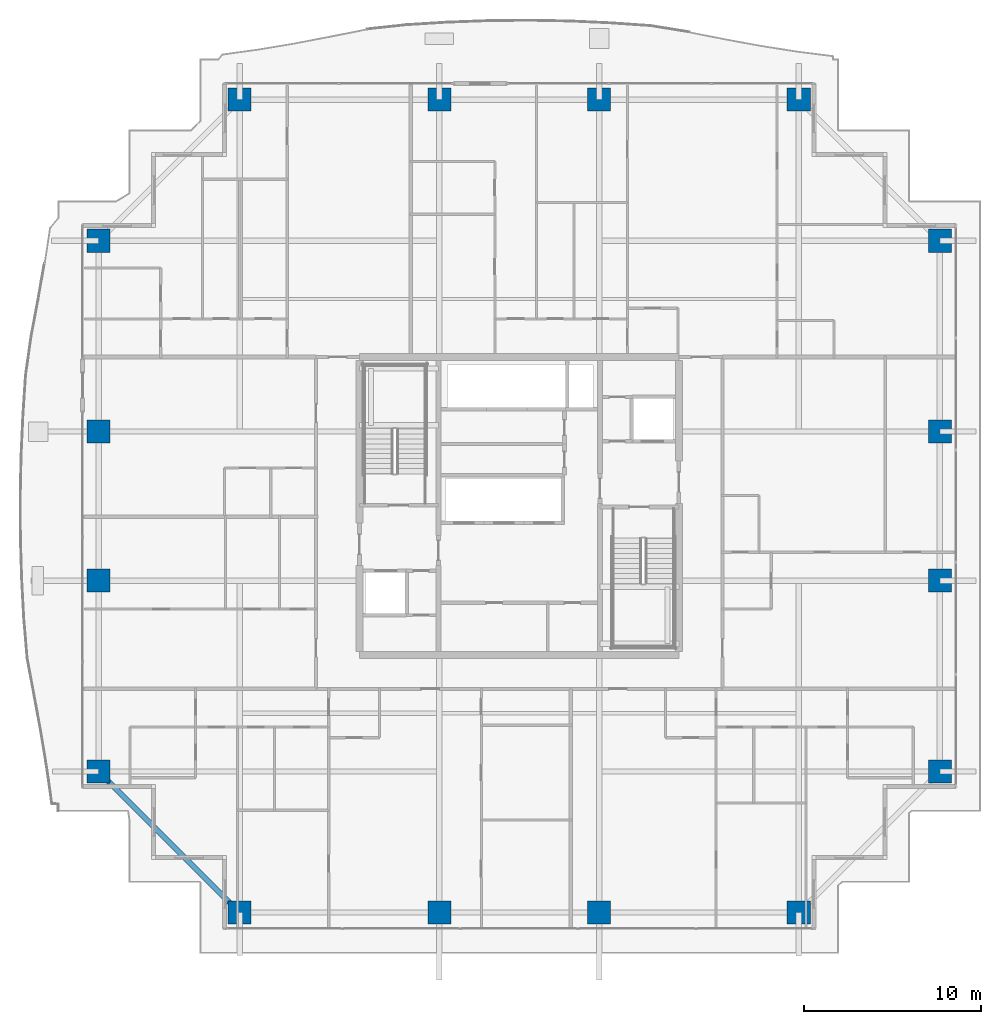
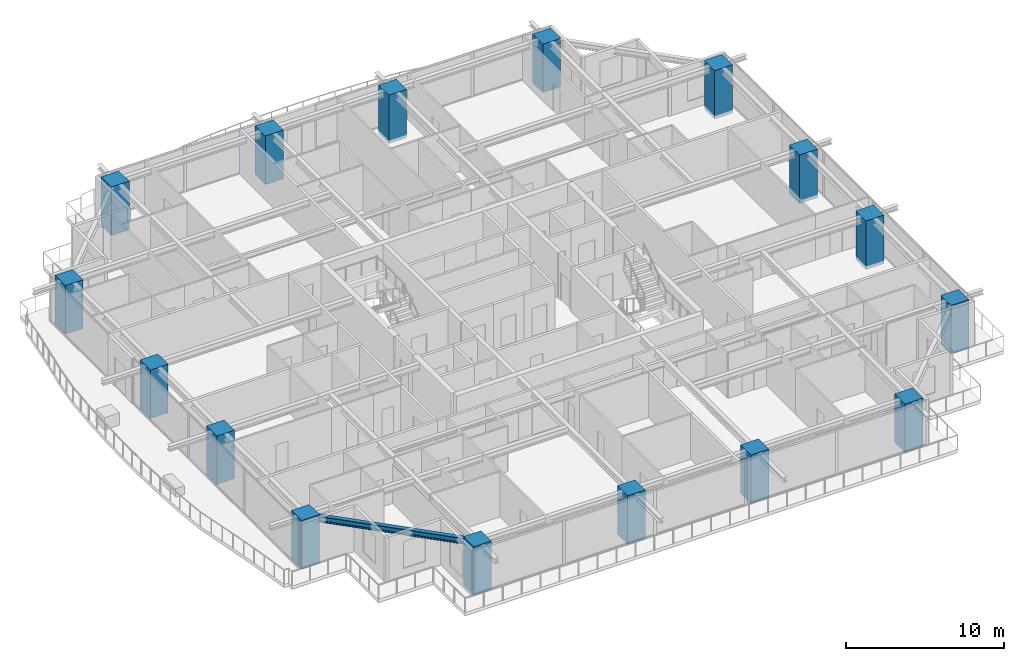
# One storey, part 1 of 37: 16 columns, 1 beam.
"""IFC4 building model written with IfcOpenShell, lengths in metres."""

from ifc_helpers import new_model, si_unit, direction, frame, origin, origin_2d, place, context, subcontext, project, spatial, rectangle, i_section, extrude, source, transform, mapped, material, material_profile, profile_set, type_object, element, save


model = new_model("IFC4")

# Units and contexts
model_context = context("Model", 3, precision=1e-05, world=origin(), true_north=direction((0.0, 1.0)))
body_context = subcontext(model_context, "Body", "Model", "MODEL_VIEW")
ifc_project = project(units=[si_unit("LENGTHUNIT", "METRE"), si_unit("AREAUNIT", "SQUARE_METRE"), si_unit("VOLUMEUNIT", "CUBIC_METRE"), si_unit("PLANEANGLEUNIT", "RADIAN"), si_unit("MASSUNIT", "GRAM", prefix="KILO")], contexts=[model_context])

# Site, building, storey
site_placement = place(None, origin())
site = spatial("IfcSite", under=ifc_project, at=site_placement, CompositionType="ELEMENT")
building_placement = place(site_placement, origin())
building = spatial("IfcBuilding", under=site, at=building_placement, Name="Serunith Strait Residences", CompositionType="ELEMENT")
storey_placement = place(building_placement, frame((0.0, 0.0, 153.89990234375)))
storey = spatial("IfcBuildingStorey", under=building, at=storey_placement, Name="L38", CompositionType="ELEMENT", Elevation=153.89990234375)

# Columns
ifc_material_1 = material(Name="Concrete C80/95", Category="concrete")
ifc_material_profile_1 = material_profile(ifc_material_1, rectangle(XDim=1.300048828125, YDim=1.300048828125, at=origin_2d()), Name="RC 1300x1300")
ifc_profile_set_1 = profile_set([ifc_material_profile_1], Name="Concrete C80/95")
column_type = type_object("IfcColumnType", Name="COL-RC-1300", PredefinedType="COLUMN", material=ifc_profile_set_1)
shared_shape_1 = source(origin(), body_context, "Body", "SweptSolid", [
    extrude(rectangle(XDim=1.300048828125, YDim=1.300048828125, at=origin_2d()), origin(), (0.0, 0.0, 1.0), 3.75),
])
for number, where, z_axis, x_axis, name in (
    (1, (16.64990234375, 2.300048828125, -0.260009765625), (0.0, 0.0, 1.0), (1.0, 0.0, 0.0), "L38 Tower Mega-Column TC-S1"),
    (2, (27.89990234375, 2.300048828125, -0.260009765625), (0.0, 0.0, 1.0), (1.0, 0.0, 0.0), "L38 Tower Mega-Column TC-S2"),
    (3, (36.89990234375, 2.300048828125, -0.260009765625), (0.0, 0.0, 1.0), (1.0, 0.0, 0.0), "L38 Tower Mega-Column TC-S3"),
    (4, (48.14990234375, 2.300048828125, -0.260009765625), (0.0, 0.0, 1.0), (1.0, 0.0, 0.0), "L38 Tower Mega-Column TC-S4"),
    (5, (16.64990234375, 48.10009765625, -0.260009765625), (0.0, 0.0, 1.0), (1.0, 0.0, 0.0), "L38 Tower Mega-Column TC-N1"),
    (6, (27.89990234375, 48.10009765625, -0.260009765625), (0.0, 0.0, 1.0), (1.0, 0.0, 0.0), "L38 Tower Mega-Column TC-N2"),
    (7, (36.89990234375, 48.10009765625, -0.260009765625), (0.0, 0.0, 1.0), (1.0, 0.0, 0.0), "L38 Tower Mega-Column TC-N3"),
    (8, (48.14990234375, 48.10009765625, -0.260009765625), (0.0, 0.0, 1.0), (1.0, 0.0, 0.0), "L38 Tower Mega-Column TC-N4"),
    (9, (56.10009765625, 10.25, -0.260009765625), (0.0, 0.0, 1.0), (1.0, 0.0, 0.0), "L38 Tower Mega-Column TC-E1"),
    (10, (56.10009765625, 21.0, -0.260009765625), (0.0, 0.0, 1.0), (1.0, 0.0, 0.0), "L38 Tower Mega-Column TC-E2"),
    (11, (56.10009765625, 29.39990234375, -0.260009765625), (0.0, 0.0, 1.0), (1.0, 0.0, 0.0), "L38 Tower Mega-Column TC-E3"),
    (12, (56.10009765625, 40.14990234375, -0.260009765625), (0.0, 0.0, 1.0), (1.0, 0.0, 0.0), "L38 Tower Mega-Column TC-E4"),
    (13, (8.699951171875, 10.25, -0.260009765625), (0.0, 0.0, 1.0), (1.0, 0.0, 0.0), "L38 Tower Mega-Column TC-W1"),
    (14, (8.699951171875, 21.0, -0.260009765625), (0.0, 0.0, 1.0), (1.0, 0.0, 0.0), "L38 Tower Mega-Column TC-W2"),
    (15, (8.699951171875, 29.39990234375, -0.260009765625), (0.0, 0.0, 1.0), (1.0, 0.0, 0.0), "L38 Tower Mega-Column TC-W3"),
    (16, (8.699951171875, 40.14990234375, -0.260009765625), (0.0, 0.0, 1.0), (1.0, 0.0, 0.0), "L38 Tower Mega-Column TC-W4"),
):
    element("IfcColumn", number, at=place(storey_placement, frame(where, z_axis=z_axis, x_axis=x_axis)), inside=storey, type_object=column_type, Name=name, PredefinedType="COLUMN", context=body_context, shape_type="MappedRepresentation", body=[
        mapped(shared_shape_1, transform((0.0, 0.0, 0.0), scale=1.0)),
    ])

# Beam
ifc_material_2 = material(Name="Steel S355J2", Category="steel")
ifc_material_profile_2 = material_profile(ifc_material_2, i_section(OverallWidth=0.300048828125, OverallDepth=0.449951171875, WebThickness=0.013916015625, FlangeThickness=0.02587890625, FilletRadius=0.027099609375, at=origin_2d()), Name="HEB 450")
ifc_profile_set_2 = profile_set([ifc_material_profile_2], Name="Steel S355J2")
beam_type = type_object("IfcBeamType", Name="BM-HEB450", PredefinedType="BEAM", material=ifc_profile_set_2)
shared_shape_2 = source(origin(), body_context, "Body", "SweptSolid", [
    extrude(i_section(OverallWidth=0.300048828125, OverallDepth=0.449951171875, WebThickness=0.013916015625, FlangeThickness=0.02587890625, FilletRadius=0.027099609375, at=origin_2d()), origin(), (0.0, 0.0, 1.0), 11.242919921875),
])
beam_placement = place(storey_placement, frame((8.699951171875, 10.25, 3.232177734375), z_axis=(0.707106781187, -0.707106781187, 0.0), x_axis=(0.707106781187, 0.707106781187, 0.0)))
element("IfcBeam", 17, at=beam_placement, inside=storey, type_object=beam_type, Name="L38 Perimeter Ring Beam 16", PredefinedType="BEAM", context=body_context, shape_type="MappedRepresentation", body=[
    mapped(shared_shape_2, transform((0.0, 0.0, 0.0), scale=1.0)),
])

save(model, "model.ifc")
